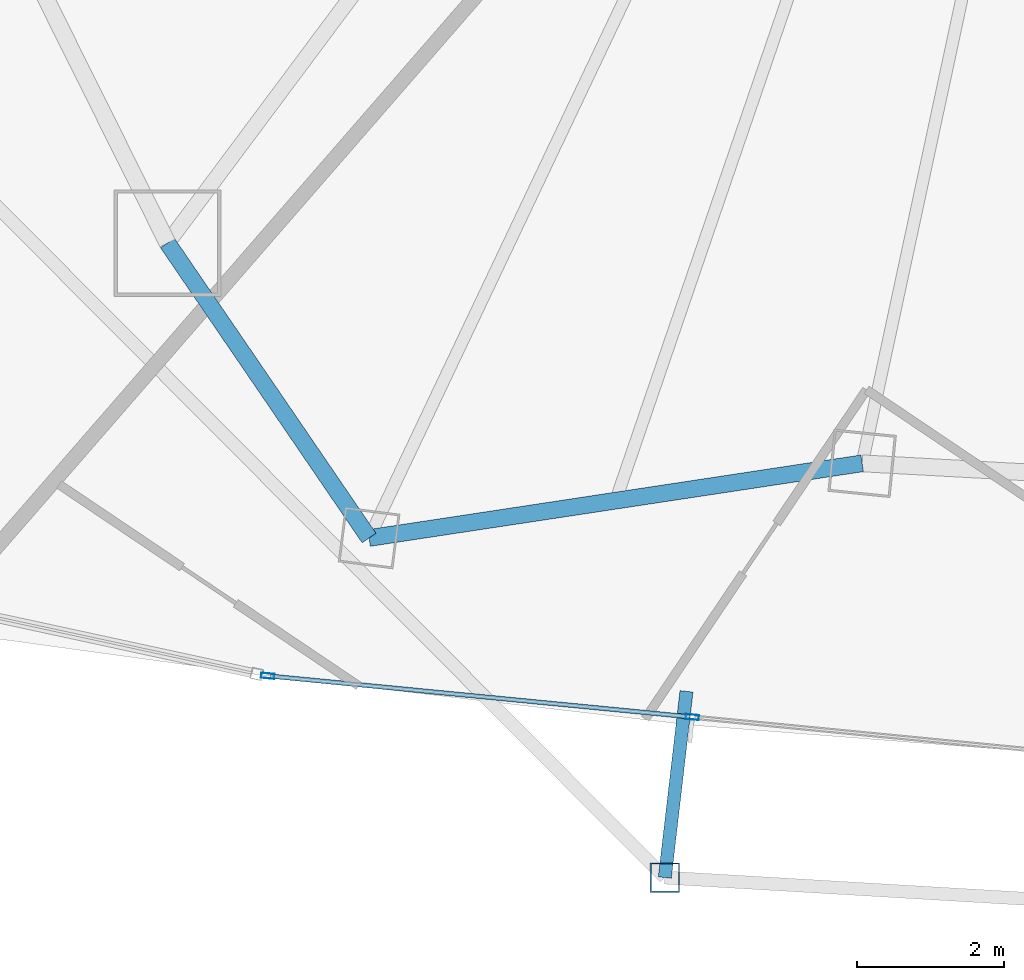
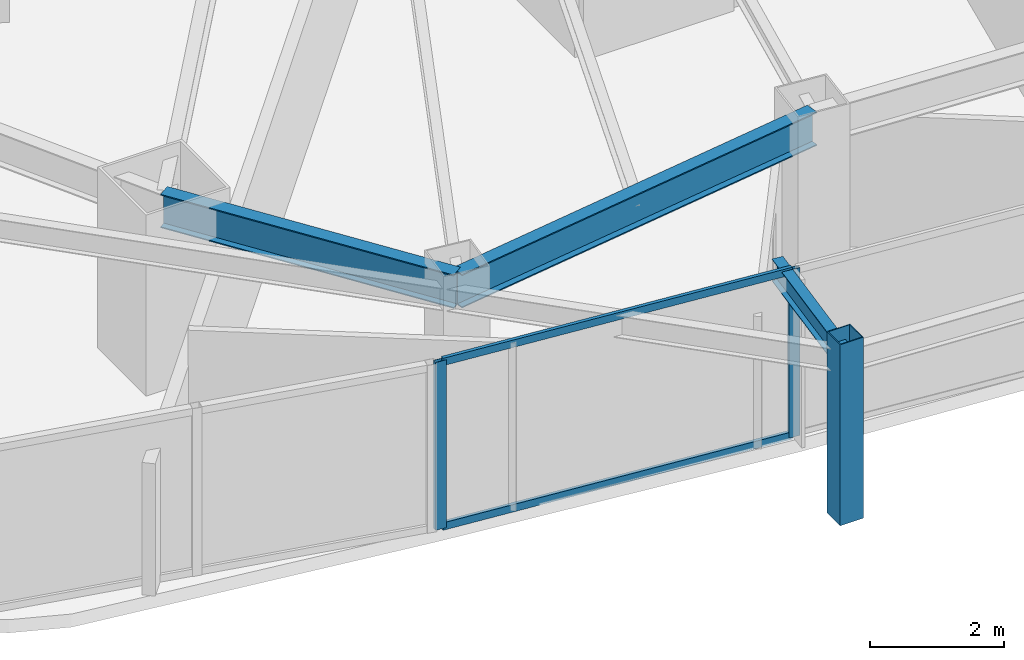
# One storey, part 4 of 30: 5 members, 3 beams, 1 element without a shape of its own.
"""IFC4 building model written with IfcOpenShell, lengths in metres."""

from ifc_helpers import new_model, si_unit, direction, frame, origin, origin_2d, place, context, subcontext, project, spatial, hollow_rectangle, i_section, extrude, material, layer, layer_set, material_profile, profile_set, type_object, element, aggregate, save


model = new_model("IFC4")

# Units and contexts
model_context = context("Model", 3, precision=1e-05, world=origin(), true_north=direction((0.0, 1.0)))
body_context = subcontext(model_context, "Body", "Model", "MODEL_VIEW")
ifc_project = project(units=[si_unit("LENGTHUNIT", "METRE"), si_unit("AREAUNIT", "SQUARE_METRE"), si_unit("VOLUMEUNIT", "CUBIC_METRE"), si_unit("PLANEANGLEUNIT", "RADIAN"), si_unit("MASSUNIT", "GRAM", prefix="KILO")], contexts=[model_context])

# Site, building, storey
site_placement = place(None, origin())
site = spatial("IfcSite", under=ifc_project, at=site_placement, CompositionType="ELEMENT")
building_placement = place(site_placement, origin())
building = spatial("IfcBuilding", under=site, at=building_placement, Name="Orvanel Arch Residences", CompositionType="ELEMENT")
storey_placement = place(building_placement, frame((0.0, 0.0, 136.39990234375)))
storey = spatial("IfcBuildingStorey", under=building, at=storey_placement, Name="L38", CompositionType="ELEMENT", Elevation=136.39990234375)

# Curtain wall, members
ifc_material_1 = material(Name="Bronze-anodised aluminium AA6063-T6", Category="aluminium")
ifc_layer = layer(ifc_material_1, 0.179931640625)
ifc_layer_set = layer_set([ifc_layer], Name="Bronze-anodised aluminium AA6063-T6")
curtain_wall_type = type_object("IfcCurtainWallType", Name="CW3-MID-SYS", PredefinedType="NOTDEFINED", material=ifc_layer_set)
curtain_wall_placement = place(storey_placement, origin())
curtain_wall = element("IfcCurtainWall", 1, at=curtain_wall_placement, inside=storey, type_object=curtain_wall_type, Name="L38 CW3-MID-SYS Unitised Curtain Wall", PredefinedType="NOTDEFINED")
ifc_material_profile_1 = material_profile(ifc_material_1, hollow_rectangle(XDim=0.070068359375, YDim=0.179931640625, WallThickness=0.00439453125, at=origin_2d()), Name="ALU180x70x4.5")
ifc_profile_set_1 = profile_set([ifc_material_profile_1], Name="Bronze-anodised aluminium AA6063-T6")
member_type_1 = type_object("IfcMemberType", Name="MUL-180x70", PredefinedType="MULLION", material=ifc_profile_set_1)
member_1_placement = place(storey_placement, frame((15.561767578125, 4.463623046875, 0.0), z_axis=(0.0, 0.0, 1.0), x_axis=(0.096603363992, 0.99532295767, 0.0)))
member_1 = element("IfcMember", 2, at=member_1_placement, type_object=member_type_1, Name="CW-S3 mullion 1", PredefinedType="MULLION", context=body_context, shape_type="SweptSolid", body=[
    extrude(hollow_rectangle(XDim=0.070068359375, YDim=0.179931640625, WallThickness=0.00439453125, at=origin_2d()), origin(), (0.0, 0.0, 1.0), 3.06005859375),
])
member_2_placement = place(storey_placement, frame((21.337890625, 3.903076171875, 0.0), z_axis=(0.0, 0.0, 1.0), x_axis=(0.096603363992, 0.99532295767, 0.0)))
member_2 = element("IfcMember", 3, at=member_2_placement, type_object=member_type_1, Name="CW-S3 mullion 2", PredefinedType="MULLION", context=body_context, shape_type="SweptSolid", body=[
    extrude(hollow_rectangle(XDim=0.070068359375, YDim=0.179931640625, WallThickness=0.00439453125, at=origin_2d()), origin(), (0.0, 0.0, 1.0), 3.06005859375),
])

# Beams
ifc_material_2 = material(Name="Structural steel AS/NZS 3679.1 Grade 300 (300 MPa)", Category="steel")
ifc_material_profile_2 = material_profile(ifc_material_2, i_section(OverallWidth=0.177978515625, OverallDepth=0.406005859375, WebThickness=0.0078125, FlangeThickness=0.0126953125, at=origin_2d()), Name="410UB59.7")
ifc_profile_set_2 = profile_set([ifc_material_profile_2], Name="Structural steel AS/NZS 3679.1 Grade 300 (300 MPa)")
beam_type_1 = type_object("IfcBeamType", Name="OB-410UB-EXT", PredefinedType="SPANDREL", material=ifc_profile_set_2)
beam_1_placement = place(storey_placement, frame((21.259033203125, 4.2529296875, 2.857177734375), z_axis=(-0.115652434702, -0.993289743402, 0.0), x_axis=(0.993289743402, -0.115652434702, 0.0)))
element("IfcBeam", 4, at=beam_1_placement, inside=storey, type_object=beam_type_1, Name="L38 Outer Frame Radial Tie Beam 05", PredefinedType="SPANDREL", context=body_context, shape_type="SweptSolid", body=[
    extrude(i_section(OverallWidth=0.177978515625, OverallDepth=0.406005859375, WebThickness=0.0078125, FlangeThickness=0.0126953125, at=origin_2d()), origin(), (0.0, 0.0, 1.0), 2.550048828125),
])
ifc_material_profile_3 = material_profile(ifc_material_2, i_section(OverallWidth=0.22900390625, OverallDepth=0.612060546875, WebThickness=0.011962890625, FlangeThickness=0.01953125, at=origin_2d()), Name="610UB125")
ifc_profile_set_3 = profile_set([ifc_material_profile_3], Name="Structural steel AS/NZS 3679.1 Grade 300 (300 MPa)")
beam_type_2 = type_object("IfcBeamType", Name="SP-610UB", PredefinedType="SPANDREL", material=ifc_profile_set_3)
beam_2_placement = place(storey_placement, frame((14.198974609375, 10.35107421875, 2.754150390625), z_axis=(0.564251579852, -0.825602903722, 0.0), x_axis=(0.825602903722, 0.564251579852, 0.0)))
element("IfcBeam", 5, at=beam_2_placement, inside=storey, type_object=beam_type_2, Name="L38 Perimeter Spandrel Beam 03", PredefinedType="SPANDREL", context=body_context, shape_type="SweptSolid", body=[
    extrude(i_section(OverallWidth=0.22900390625, OverallDepth=0.612060546875, WebThickness=0.011962890625, FlangeThickness=0.01953125, at=origin_2d()), origin(), (0.0, 0.0, 1.0), 4.859375),
])
beam_3_placement = place(storey_placement, frame((16.94091796875, 6.339111328125, 2.754150390625), z_axis=(0.988726323014, 0.149733958002, 0.0), x_axis=(-0.149733958002, 0.988726323014, 0.0)))
element("IfcBeam", 6, at=beam_3_placement, inside=storey, type_object=beam_type_2, Name="L38 Perimeter Spandrel Beam 04", PredefinedType="SPANDREL", context=body_context, shape_type="SweptSolid", body=[
    extrude(i_section(OverallWidth=0.22900390625, OverallDepth=0.612060546875, WebThickness=0.011962890625, FlangeThickness=0.01953125, at=origin_2d()), origin(), (0.0, 0.0, 1.0), 6.784423828125),
])

# Member
ifc_material_3 = material(Name="Structural steel AS/NZS 1163 C450L0 (Grade 450)", Category="steel")
ifc_material_profile_4 = material_profile(ifc_material_3, hollow_rectangle(XDim=0.39990234375, YDim=0.39990234375, WallThickness=0.01611328125, at=origin_2d()), Name="SHS400x400x16")
ifc_profile_set_4 = profile_set([ifc_material_profile_4], Name="Structural steel AS/NZS 1163 C450L0 (Grade 450)")
member_type_2 = type_object("IfcMemberType", Name="ST-400SHS-EXT", PredefinedType="STRUT", material=ifc_profile_set_4)
member_3_placement = place(storey_placement, frame((20.964111328125, 1.719970703125, 0.0), z_axis=(0.0, 0.0, 1.0), x_axis=(1.0, 0.0, 0.0)))
element("IfcMember", 7, at=member_3_placement, inside=storey, type_object=member_type_2, Name="L38 Outer Perimeter Frame Post 05", PredefinedType="STRUT", context=body_context, shape_type="SweptSolid", body=[
    extrude(hollow_rectangle(XDim=0.39990234375, YDim=0.39990234375, WallThickness=0.01611328125, at=origin_2d()), origin(), (0.0, 0.0, 1.0), 3.300048828125),
])

ifc_material_profile_5 = material_profile(ifc_material_1, hollow_rectangle(XDim=0.06005859375, YDim=0.135009765625, WallThickness=0.00390625, at=origin_2d()), Name="ALU135x60x4")
ifc_profile_set_5 = profile_set([ifc_material_profile_5], Name="Bronze-anodised aluminium AA6063-T6")
member_type_3 = type_object("IfcMemberType", Name="TRN-135x60", PredefinedType="USERDEFINED", material=ifc_profile_set_5)
member_4_placement = place(storey_placement, frame((15.5966796875, 4.460205078125, 0.030029296875), z_axis=(0.995325485405, -0.096577316715, 0.0), x_axis=(0.096577316715, 0.995325485405, 0.0)))
member_4 = element("IfcMember", 8, at=member_4_placement, type_object=member_type_3, Name="CW-S3 transom 1.1", ObjectType="TRANSOM", PredefinedType="USERDEFINED", context=body_context, shape_type="SweptSolid", body=[
    extrude(hollow_rectangle(XDim=0.06005859375, YDim=0.135009765625, WallThickness=0.00390625, at=origin_2d()), origin(), (0.0, 0.0, 1.0), 5.7333984375),
])

member_5_placement = place(storey_placement, frame((15.5966796875, 4.460205078125, 3.030029296875), z_axis=(0.995325485405, -0.096577316715, 0.0), x_axis=(0.096577316715, 0.995325485405, 0.0)))
member_5 = element("IfcMember", 9, at=member_5_placement, type_object=member_type_3, Name="CW-S3 transom 1.2", ObjectType="TRANSOM", PredefinedType="USERDEFINED", context=body_context, shape_type="SweptSolid", body=[
    extrude(hollow_rectangle(XDim=0.06005859375, YDim=0.135009765625, WallThickness=0.00390625, at=origin_2d()), origin(), (0.0, 0.0, 1.0), 5.7333984375),
])

aggregate(curtain_wall, [member_1, member_2, member_4, member_5])

save(model, "model.ifc")
